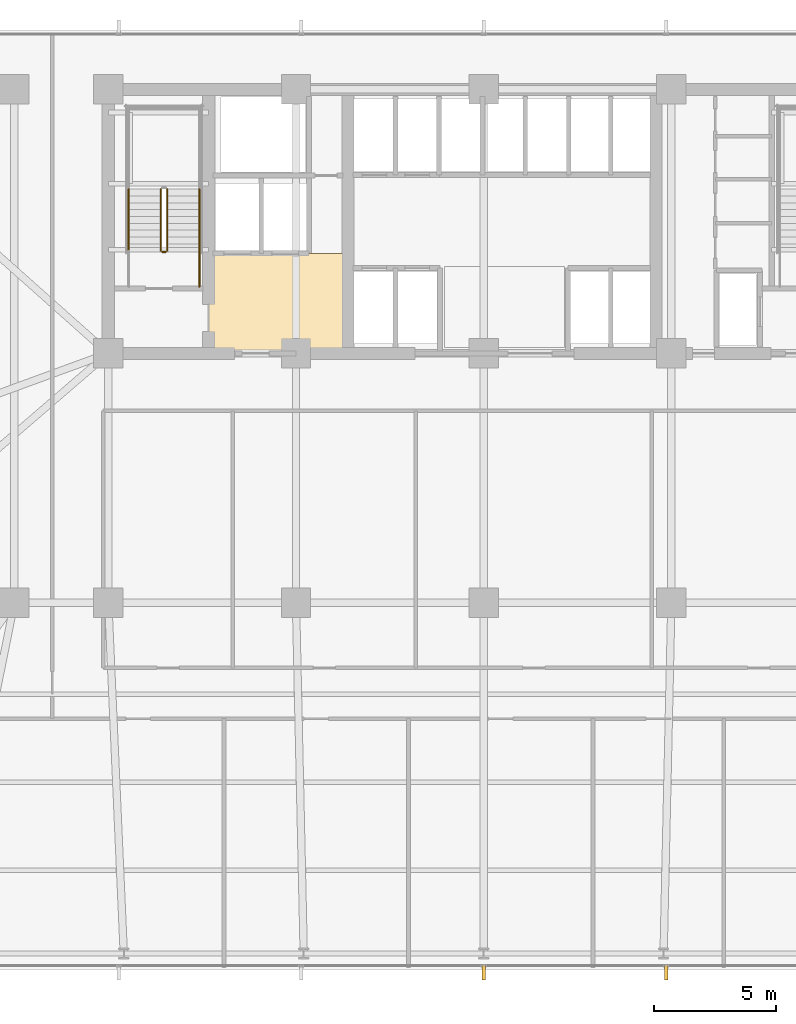
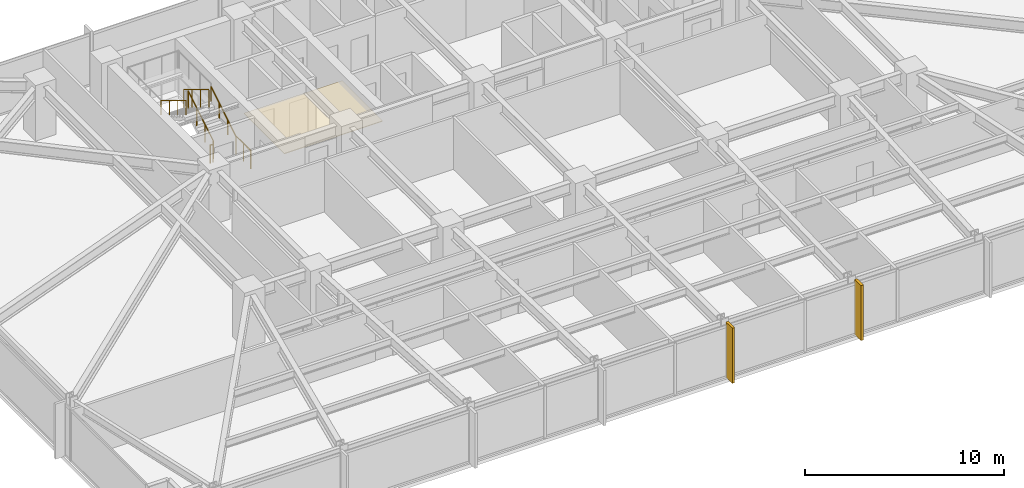
# One storey, part 28 of 33: 6 railings, 2 shading devices, 1 covering.
"""IFC4 building model written with IfcOpenShell, lengths in metres."""

from ifc_helpers import new_model, si_unit, direction, frame, origin, origin_2d, place, context, subcontext, project, spatial, polyline, rectangle, circle, outline, extrude, material, layer, layer_set, type_object, element, save


model = new_model("IFC4")

# Units and contexts
model_context = context("Model", 3, precision=1e-05, world=origin(), true_north=direction((0.0, 1.0)))
body_context = subcontext(model_context, "Body", "Model", "MODEL_VIEW")
ifc_project = project(units=[si_unit("LENGTHUNIT", "METRE"), si_unit("AREAUNIT", "SQUARE_METRE"), si_unit("VOLUMEUNIT", "CUBIC_METRE"), si_unit("PLANEANGLEUNIT", "RADIAN"), si_unit("MASSUNIT", "GRAM", prefix="KILO")], contexts=[model_context])

# Site, building, storey
site_placement = place(None, origin())
site = spatial("IfcSite", under=ifc_project, at=site_placement, CompositionType="ELEMENT")
building_placement = place(site_placement, origin())
building = spatial("IfcBuilding", under=site, at=building_placement, Name="Yelkora Congress Tower", CompositionType="ELEMENT")
storey_placement = place(building_placement, frame((0.0, 0.0, 71.199951171875)))
storey = spatial("IfcBuildingStorey", under=building, at=storey_placement, Name="L18", CompositionType="ELEMENT", Elevation=71.199951171875)

# Covering
ifc_material_1 = material(Name="Perforated mineral-fibre acoustic ceiling", Category="gypsum")
ifc_layer_1 = layer(ifc_material_1, 0.0400390625)
ifc_layer_set_1 = layer_set([ifc_layer_1], Name="Perforated mineral-fibre acoustic ceiling")
covering_type = type_object("IfcCoveringType", Name="COV-CEIL-ACOUSTIC-40", PredefinedType="CEILING", material=ifc_layer_set_1)
covering_placement = place(storey_placement, frame((0.0, 0.0, 2.400146484375)))
element("IfcCovering", 1, at=covering_placement, inside=storey, type_object=covering_type, Name="L18 Firefighting Lobby Acoustic Ceiling", PredefinedType="CEILING", context=body_context, shape_type="SweptSolid", body=[
    extrude(outline(polyline([(27.14990234375, 35.39990234375), (32.85009765625, 35.39990234375), (32.85009765625, 39.47998046875), (27.14990234375, 39.47998046875), (27.14990234375, 35.39990234375)])), origin(), (0.0, 0.0, 1.0), 0.039794921875),
])

# Railings
ifc_material_2 = material(Name="Painted galvanised steel stair well guard with vertical infill", Category="steel")
ifc_layer_2 = layer(ifc_material_2, 0.06005859375)
ifc_layer_set_2 = layer_set([ifc_layer_2], Name="Painted galvanised steel stair well guard with vertical infill")
railing_type_1 = type_object("IfcRailingType", Name="RAIL-STAIR-GUARD-1120", PredefinedType="GUARDRAIL", material=ifc_layer_set_2)
railing_1_placement = place(storey_placement, frame((25.449951171875, 39.60009765625, 0.170166015625)))
element("IfcRailing", 2, at=railing_1_placement, inside=storey, type_object=railing_type_1, Name="ST-01 L18 Stair Well Guardrail 1", PredefinedType="GUARDRAIL", context=body_context, shape_type="SweptSolid", body=[
    extrude(circle(Radius=0.02392578125, at=origin_2d()), frame((0.0, 0.0, 1.09619140625), z_axis=(0.0, 0.854821627497, 0.518921945155), x_axis=(-1.0, 0.0, 0.0)), (0.0, 0.0, 1.0), 2.947998046875),
    extrude(circle(Radius=0.02099609375, at=origin_2d()), origin(), (0.0, 0.0, 1.0), 1.072021484375),
    extrude(circle(Radius=0.02099609375, at=origin_2d()), frame((0.0, 0.840087890625, 0.510009765625)), (0.0, 0.0, 1.0), 1.072021484375),
    extrude(circle(Radius=0.02099609375, at=origin_2d()), frame((0.0, 1.679931640625, 1.019775390625)), (0.0, 0.0, 1.0), 1.072021484375),
    extrude(circle(Radius=0.02099609375, at=origin_2d()), frame((0.0, 2.52001953125, 1.52978515625)), (0.0, 0.0, 1.0), 1.072021484375),
])
railing_2_placement = place(storey_placement, frame((25.18994140625, 42.1201171875, 1.8701171875)))
element("IfcRailing", 3, at=railing_2_placement, inside=storey, type_object=railing_type_1, Name="ST-01 L18 Stair Well Guardrail 6", PredefinedType="GUARDRAIL", context=body_context, shape_type="SweptSolid", body=[
    extrude(circle(Radius=0.02392578125, at=origin_2d()), frame((0.0, 0.0, 1.09619140625), z_axis=(0.0, -0.85478489116, 0.518982456201), x_axis=(1.0, 0.0, 0.0)), (0.0, 0.0, 1.0), 2.9482421875),
    extrude(circle(Radius=0.02099609375, at=origin_2d()), origin(), (0.0, 0.0, 1.0), 1.072021484375),
    extrude(circle(Radius=0.02099609375, at=origin_2d()), frame((0.0, -0.840087890625, 0.510009765625)), (0.0, 0.0, 1.0), 1.072021484375),
    extrude(circle(Radius=0.02099609375, at=origin_2d()), frame((0.0, -1.679931640625, 1.02001953125)), (0.0, 0.0, 1.0), 1.072021484375),
    extrude(circle(Radius=0.02099609375, at=origin_2d()), frame((0.0, -2.52001953125, 1.530029296875)), (0.0, 0.0, 1.0), 1.072021484375),
])
railing_3_placement = place(storey_placement, frame((25.39990234375, 39.550048828125, 0.0)))
element("IfcRailing", 4, at=railing_3_placement, inside=storey, type_object=railing_type_1, Name="ST-01 L18 Stair Well Guardrail 7", PredefinedType="GUARDRAIL", context=body_context, shape_type="SweptSolid", body=[
    extrude(circle(Radius=0.02392578125, at=origin_2d()), frame((0.0, 0.0, 1.09619140625), z_axis=(-1.0, 0.0, 0.0), x_axis=(0.0, -1.0, 0.0)), (0.0, 0.0, 1.0), 0.159912109375),
    extrude(circle(Radius=0.02099609375, at=origin_2d()), origin(), (0.0, 0.0, 1.0), 1.072021484375),
    extrude(circle(Radius=0.02099609375, at=origin_2d()), frame((-0.159912109375, 0.0, 0.0)), (0.0, 0.0, 1.0), 1.072021484375),
])
railing_4_placement = place(storey_placement, frame((26.77001953125, 38.1201171875, 0.0)))
element("IfcRailing", 5, at=railing_4_placement, inside=storey, type_object=railing_type_1, Name="ST-01 L18 Stair Well Guardrail 8", PredefinedType="GUARDRAIL", context=body_context, shape_type="SweptSolid", body=[
    extrude(circle(Radius=0.02392578125, at=origin_2d()), frame((0.0, 0.0, 1.09619140625), z_axis=(0.0, 1.0, 0.0), x_axis=(-1.0, 0.0, 0.0)), (0.0, 0.0, 1.0), 1.47998046875),
    extrude(circle(Radius=0.02099609375, at=origin_2d()), origin(), (0.0, 0.0, 1.0), 1.072021484375),
    extrude(circle(Radius=0.02099609375, at=origin_2d()), frame((0.0, 0.739990234375, 0.0)), (0.0, 0.0, 1.0), 1.072021484375),
    extrude(circle(Radius=0.02099609375, at=origin_2d()), frame((0.0, 1.47998046875, 0.0)), (0.0, 0.0, 1.0), 1.072021484375),
])
ifc_material_3 = material(Name="Brushed stainless steel tubular handrail", Category="steel")
ifc_layer_3 = layer(ifc_material_3, 0.050048828125)
ifc_layer_set_3 = layer_set([ifc_layer_3], Name="Brushed stainless steel tubular handrail")
railing_type_2 = type_object("IfcRailingType", Name="RAIL-STAIR-HAND-920", PredefinedType="HANDRAIL", material=ifc_layer_set_3)
railing_5_placement = place(storey_placement, frame((26.77001953125, 39.60009765625, 0.170166015625)))
element("IfcRailing", 6, at=railing_5_placement, inside=storey, type_object=railing_type_2, Name="ST-01 L18 Pitch Handrail 1", PredefinedType="HANDRAIL", context=body_context, shape_type="SweptSolid", body=[
    extrude(circle(Radius=0.02392578125, at=origin_2d()), frame((0.0, 0.0, 0.89599609375), z_axis=(0.0, 0.854821627497, 0.518921945155), x_axis=(-1.0, 0.0, 0.0)), (0.0, 0.0, 1.0), 2.947998046875),
    extrude(circle(Radius=0.02099609375, at=origin_2d()), origin(), (0.0, 0.0, 1.0), 0.871826171875),
    extrude(circle(Radius=0.02099609375, at=origin_2d()), frame((0.0, 0.840087890625, 0.510009765625)), (0.0, 0.0, 1.0), 0.871826171875),
    extrude(circle(Radius=0.02099609375, at=origin_2d()), frame((0.0, 1.679931640625, 1.019775390625)), (0.0, 0.0, 1.0), 0.871826171875),
    extrude(circle(Radius=0.02099609375, at=origin_2d()), frame((0.0, 2.52001953125, 1.52978515625)), (0.0, 0.0, 1.0), 0.871826171875),
])
railing_6_placement = place(storey_placement, frame((23.8701171875, 42.1201171875, 1.8701171875)))
element("IfcRailing", 7, at=railing_6_placement, inside=storey, type_object=railing_type_2, Name="ST-01 L18 Pitch Handrail 2", PredefinedType="HANDRAIL", context=body_context, shape_type="SweptSolid", body=[
    extrude(circle(Radius=0.02392578125, at=origin_2d()), frame((0.0, 0.0, 0.89599609375), z_axis=(0.0, -0.85478489116, 0.518982456201), x_axis=(1.0, 0.0, 0.0)), (0.0, 0.0, 1.0), 2.9482421875),
    extrude(circle(Radius=0.02099609375, at=origin_2d()), origin(), (0.0, 0.0, 1.0), 0.871826171875),
    extrude(circle(Radius=0.02099609375, at=origin_2d()), frame((0.0, -0.840087890625, 0.510009765625)), (0.0, 0.0, 1.0), 0.871826171875),
    extrude(circle(Radius=0.02099609375, at=origin_2d()), frame((0.0, -1.679931640625, 1.02001953125)), (0.0, 0.0, 1.0), 0.871826171875),
    extrude(circle(Radius=0.02099609375, at=origin_2d()), frame((0.0, -2.52001953125, 1.530029296875)), (0.0, 0.0, 1.0), 0.871826171875),
])

# Shading devices
ifc_material_4 = material(Name="Champagne anodised aluminium", Category="aluminium")
ifc_layer_4 = layer(ifc_material_4, 3.39990234375)
ifc_layer_set_4 = layer_set([ifc_layer_4], Name="Champagne anodised aluminium")
shading_device_type = type_object("IfcShadingDeviceType", Name="SHD-FIN-ALU-640", PredefinedType="USERDEFINED", material=ifc_layer_set_4)
for number, where, z_axis, x_axis, name in (
    (8, (45.864990234375, 10.080078125, -0.02978515625), (0.0, 0.0, 1.0), (-1.0, 0.0, 0.0), "L18 Vertical Anodised Solar Fin 20-3"),
    (9, (38.39990234375, 10.080078125, -0.02978515625), (0.0, 0.0, 1.0), (-1.0, 0.0, 0.0), "L18 Vertical Anodised Solar Fin 20-4"),
):
    element("IfcShadingDevice", number, at=place(storey_placement, frame(where, z_axis=z_axis, x_axis=x_axis)), inside=storey, type_object=shading_device_type, Name=name, ObjectType="FIN", PredefinedType="USERDEFINED", context=body_context, shape_type="SweptSolid", body=[
        extrude(rectangle(XDim=0.139892578125, YDim=0.639892578125, at=origin_2d()), origin(), (0.0, 0.0, 1.0), 3.3798828125),
    ])

save(model, "model.ifc")
